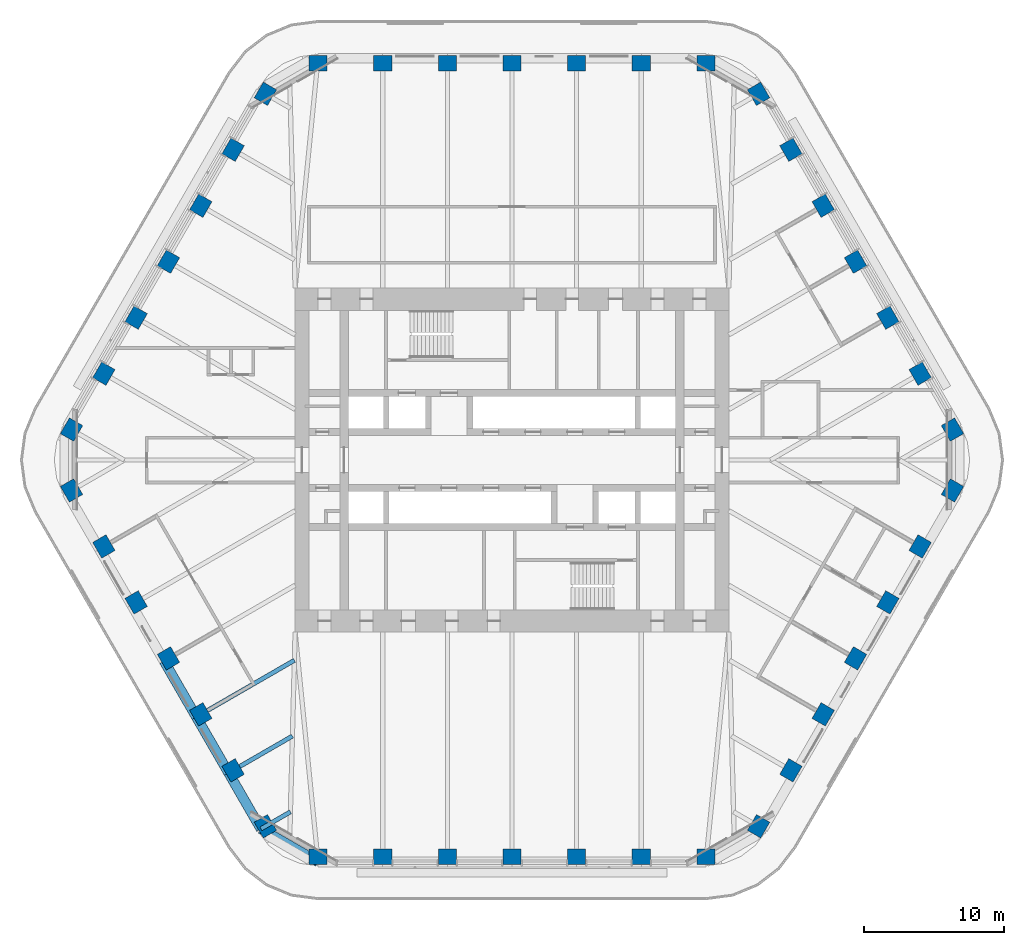
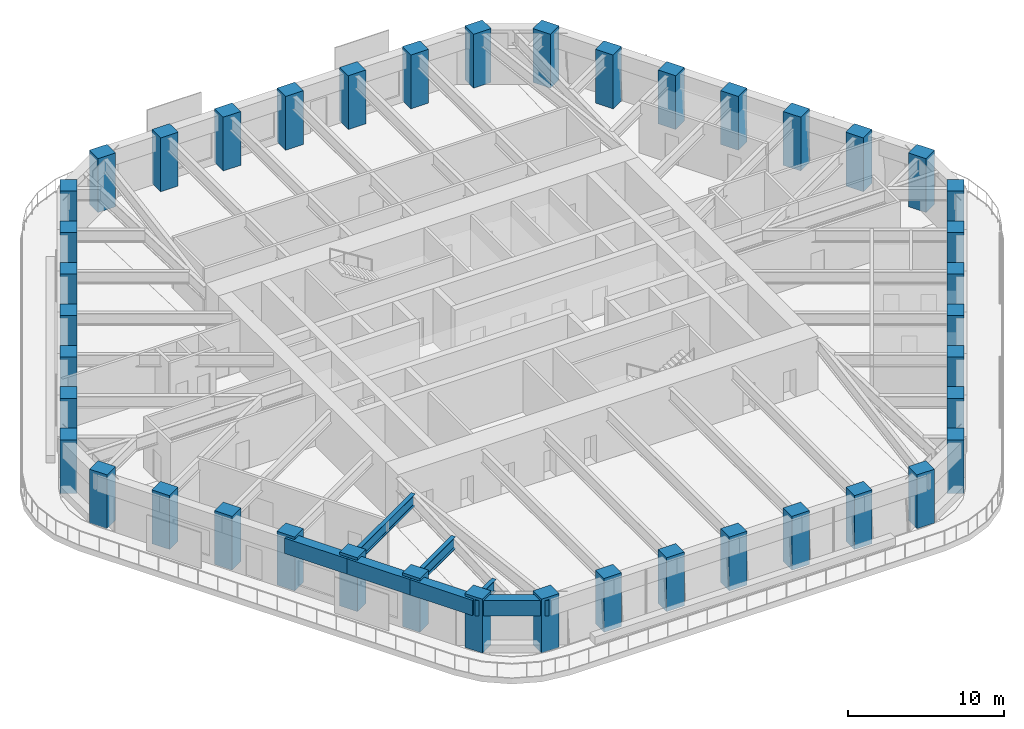
# One storey, part 1 of 20: 42 columns, 7 beams.
"""IFC4 building model written with IfcOpenShell, lengths in metres."""

from ifc_helpers import new_model, si_unit, direction, frame, origin, origin_2d, place, context, subcontext, project, spatial, rectangle, i_section, extrude, material, material_profile, profile_set, type_object, element, save


model = new_model("IFC4")

# Units and contexts
model_context = context("Model", 3, precision=1e-05, world=origin(), true_north=direction((0.0, 1.0)))
body_context = subcontext(model_context, "Body", "Model", "MODEL_VIEW")
ifc_project = project(units=[si_unit("LENGTHUNIT", "METRE"), si_unit("AREAUNIT", "SQUARE_METRE"), si_unit("VOLUMEUNIT", "CUBIC_METRE"), si_unit("PLANEANGLEUNIT", "RADIAN"), si_unit("MASSUNIT", "GRAM", prefix="KILO")], contexts=[model_context])

# Site, building, storey
site_placement = place(None, origin())
site = spatial("IfcSite", under=ifc_project, at=site_placement, CompositionType="ELEMENT")
building_placement = place(site_placement, origin())
building = spatial("IfcBuilding", under=site, at=building_placement, Name="Tarfa Lantern Tower", CompositionType="ELEMENT")
storey_placement = place(building_placement, frame((0.0, 0.0, 249.10009765625)))
storey = spatial("IfcBuildingStorey", under=building, at=storey_placement, Name="L56", CompositionType="ELEMENT", Elevation=249.10009765625)

# Columns
ifc_material_1 = material(Name="Concrete C80/95", Category="concrete")
ifc_material_profile_1 = material_profile(ifc_material_1, rectangle(XDim=1.300048828125, YDim=1.10009765625, at=origin_2d()), Name="RC 1300x1100")
ifc_profile_set_1 = profile_set([ifc_material_profile_1], Name="Concrete C80/95")
column_type = type_object("IfcColumnType", Name="TC10 RC 1300x1100", PredefinedType="COLUMN", material=ifc_profile_set_1)
for number, where, z_axis, x_axis, name in (
    (1, (31.47998046875, 2.175048828125, 0.0), (0.0, 0.0, 1.0), (-0.5, 0.866025403784, 0.0), "Tube column NE0"),
    (2, (29.170654296875, 6.175048828125, 0.0), (0.0, 0.0, 1.0), (-0.5, 0.866025403784, 0.0), "Tube column NE1"),
    (3, (26.861328125, 10.175048828125, 0.0), (0.0, 0.0, 1.0), (-0.5, 0.866025403784, 0.0), "Tube column NE2"),
    (4, (24.5517578125, 14.175048828125, 0.0), (0.0, 0.0, 1.0), (-0.5, 0.866025403784, 0.0), "Tube column NE3"),
    (5, (22.242431640625, 18.175048828125, 0.0), (0.0, 0.0, 1.0), (-0.5, 0.866025403784, 0.0), "Tube column NE4"),
    (6, (19.93310546875, 22.175048828125, 0.0), (0.0, 0.0, 1.0), (-0.5, 0.866025403784, 0.0), "Tube column NE5"),
    (7, (17.62353515625, 26.175048828125, 0.0), (0.0, 0.0, 1.0), (-0.5, 0.866025403784, 0.0), "Tube column NE6"),
    (8, (13.8564453125, 28.35009765625, 0.0), (0.0, 0.0, 1.0), (-1.0, 0.0, 0.0), "Tube column N0"),
    (9, (9.237548828125, 28.35009765625, 0.0), (0.0, 0.0, 1.0), (-1.0, 0.0, 0.0), "Tube column N1"),
    (10, (4.618896484375, 28.35009765625, 0.0), (0.0, 0.0, 1.0), (-1.0, 0.0, 0.0), "Tube column N2"),
    (11, (0.0, 28.35009765625, 0.0), (0.0, 0.0, 1.0), (-1.0, 0.0, 0.0), "Tube column N3"),
    (12, (-4.618896484375, 28.35009765625, 0.0), (0.0, 0.0, 1.0), (-1.0, 0.0, 0.0), "Tube column N4"),
    (13, (-9.237548828125, 28.35009765625, 0.0), (0.0, 0.0, 1.0), (-1.0, 0.0, 0.0), "Tube column N5"),
    (14, (-13.8564453125, 28.35009765625, 0.0), (0.0, 0.0, 1.0), (-1.0, 0.0, 0.0), "Tube column N6"),
    (15, (-17.62353515625, 26.175048828125, 0.0), (0.0, 0.0, 1.0), (-0.5, -0.866025403784, 0.0), "Tube column NW0"),
    (16, (-19.93310546875, 22.175048828125, 0.0), (0.0, 0.0, 1.0), (-0.5, -0.866025403784, 0.0), "Tube column NW1"),
    (17, (-22.242431640625, 18.175048828125, 0.0), (0.0, 0.0, 1.0), (-0.5, -0.866025403784, 0.0), "Tube column NW2"),
    (18, (-24.5517578125, 14.175048828125, 0.0), (0.0, 0.0, 1.0), (-0.5, -0.866025403784, 0.0), "Tube column NW3"),
    (19, (-26.861328125, 10.175048828125, 0.0), (0.0, 0.0, 1.0), (-0.5, -0.866025403784, 0.0), "Tube column NW4"),
    (20, (-29.170654296875, 6.175048828125, 0.0), (0.0, 0.0, 1.0), (-0.5, -0.866025403784, 0.0), "Tube column NW5"),
    (21, (-31.47998046875, 2.175048828125, 0.0), (0.0, 0.0, 1.0), (-0.5, -0.866025403784, 0.0), "Tube column NW6"),
    (22, (-31.47998046875, -2.175048828125, 0.0), (0.0, 0.0, 1.0), (0.5, -0.866025403784, 0.0), "Tube column SW0"),
    (23, (-29.170654296875, -6.175048828125, 0.0), (0.0, 0.0, 1.0), (0.5, -0.866025403784, 0.0), "Tube column SW1"),
    (24, (-26.861328125, -10.175048828125, 0.0), (0.0, 0.0, 1.0), (0.5, -0.866025403784, 0.0), "Tube column SW2"),
    (25, (-24.5517578125, -14.175048828125, 0.0), (0.0, 0.0, 1.0), (0.5, -0.866025403784, 0.0), "Tube column SW3"),
    (26, (-22.242431640625, -18.175048828125, 0.0), (0.0, 0.0, 1.0), (0.5, -0.866025403784, 0.0), "Tube column SW4"),
    (27, (-19.93310546875, -22.175048828125, 0.0), (0.0, 0.0, 1.0), (0.5, -0.866025403784, 0.0), "Tube column SW5"),
    (28, (-17.62353515625, -26.175048828125, 0.0), (0.0, 0.0, 1.0), (0.5, -0.866025403784, 0.0), "Tube column SW6"),
    (29, (-13.8564453125, -28.35009765625, 0.0), (0.0, 0.0, 1.0), (1.0, 0.0, 0.0), "Tube column S0"),
    (30, (-9.237548828125, -28.35009765625, 0.0), (0.0, 0.0, 1.0), (1.0, 0.0, 0.0), "Tube column S1"),
    (31, (-4.618896484375, -28.35009765625, 0.0), (0.0, 0.0, 1.0), (1.0, 0.0, 0.0), "Tube column S2"),
    (32, (0.0, -28.35009765625, 0.0), (0.0, 0.0, 1.0), (1.0, 0.0, 0.0), "Tube column S3"),
    (33, (4.618896484375, -28.35009765625, 0.0), (0.0, 0.0, 1.0), (1.0, 0.0, 0.0), "Tube column S4"),
    (34, (9.237548828125, -28.35009765625, 0.0), (0.0, 0.0, 1.0), (1.0, 0.0, 0.0), "Tube column S5"),
    (35, (13.8564453125, -28.35009765625, 0.0), (0.0, 0.0, 1.0), (1.0, 0.0, 0.0), "Tube column S6"),
    (36, (17.62353515625, -26.175048828125, 0.0), (0.0, 0.0, 1.0), (0.5, 0.866025403784, 0.0), "Tube column SE0"),
    (37, (19.93310546875, -22.175048828125, 0.0), (0.0, 0.0, 1.0), (0.5, 0.866025403784, 0.0), "Tube column SE1"),
    (38, (22.242431640625, -18.175048828125, 0.0), (0.0, 0.0, 1.0), (0.5, 0.866025403784, 0.0), "Tube column SE2"),
    (39, (24.5517578125, -14.175048828125, 0.0), (0.0, 0.0, 1.0), (0.5, 0.866025403784, 0.0), "Tube column SE3"),
    (40, (26.861328125, -10.175048828125, 0.0), (0.0, 0.0, 1.0), (0.5, 0.866025403784, 0.0), "Tube column SE4"),
    (41, (29.170654296875, -6.175048828125, 0.0), (0.0, 0.0, 1.0), (0.5, 0.866025403784, 0.0), "Tube column SE5"),
    (42, (31.47998046875, -2.175048828125, 0.0), (0.0, 0.0, 1.0), (0.5, 0.866025403784, 0.0), "Tube column SE6"),
):
    element("IfcColumn", number, at=place(storey_placement, frame(where, z_axis=z_axis, x_axis=x_axis)), inside=storey, type_object=column_type, Name=name, PredefinedType="COLUMN", context=body_context, shape_type="SweptSolid", body=[
        extrude(rectangle(XDim=1.300048828125, YDim=1.10009765625, at=origin_2d()), origin(), (0.0, 0.0, 1.0), 4.199951171875),
    ])

# Beams
ifc_material_profile_2 = material_profile(ifc_material_1, rectangle(XDim=0.699951171875, YDim=1.199951171875, at=origin_2d()), Name="RC 700x1200")
ifc_profile_set_2 = profile_set([ifc_material_profile_2], Name="Concrete C80/95")
beam_type_1 = type_object("IfcBeamType", Name="EB3 RC 700x1200", PredefinedType="SPANDREL", material=ifc_profile_set_2)
beam_1_placement = place(storey_placement, frame((-24.872314453125, -14.360107421875, 3.39990234375), z_axis=(0.500027479704, -0.866009537788, 0.0), x_axis=(0.866009537788, 0.500027479704, 0.0)))
element("IfcBeam", 43, at=beam_1_placement, inside=storey, type_object=beam_type_1, Name="Edge beam SW3", PredefinedType="SPANDREL", context=body_context, shape_type="SweptSolid", body=[
    extrude(rectangle(XDim=0.699951171875, YDim=1.199951171875, at=origin_2d()), origin(), (0.0, 0.0, 1.0), 4.618896484375),
])
for number, where, z_axis, x_axis, name in (
    (44, (-22.562744140625, -18.360107421875, 3.39990234375), (0.499987836815, -0.866032426089, 0.0), (0.866032426089, 0.499987836815, 0.0), "Edge beam SW4"),
    (45, (-20.25341796875, -22.360107421875, 3.39990234375), (0.499987836815, -0.866032426089, 0.0), (0.866032426089, 0.499987836815, 0.0), "Edge beam SW5"),
):
    element("IfcBeam", number, at=place(storey_placement, frame(where, z_axis=z_axis, x_axis=x_axis)), inside=storey, type_object=beam_type_1, Name=name, PredefinedType="SPANDREL", context=body_context, shape_type="SweptSolid", body=[
        extrude(rectangle(XDim=0.699951171875, YDim=1.199951171875, at=origin_2d()), origin(), (0.0, 0.0, 1.0), 4.61865234375),
    ])
beam_2_placement = place(storey_placement, frame((-17.944091796875, -26.360107421875, 3.39990234375), z_axis=(0.866038294681, -0.499977671647, 0.0), x_axis=(0.499977671647, 0.866038294681, 0.0)))
element("IfcBeam", 46, at=beam_2_placement, inside=storey, type_object=beam_type_1, Name="Edge beam SW6", PredefinedType="SPANDREL", context=body_context, shape_type="SweptSolid", body=[
    extrude(rectangle(XDim=0.699951171875, YDim=1.199951171875, at=origin_2d()), origin(), (0.0, 0.0, 1.0), 4.719970703125),
])
ifc_material_2 = material(Name="Steel S460M", Category="steel")
ifc_material_profile_3 = material_profile(ifc_material_2, i_section(OverallWidth=0.305419921875, OverallDepth=0.91845703125, WebThickness=0.017333984375, FlangeThickness=0.02783203125, FilletRadius=0.01904296875, at=origin_2d()), Name="UB914x305x253")
ifc_profile_set_3 = profile_set([ifc_material_profile_3], Name="Steel S460M")
beam_type_2 = type_object("IfcBeamType", Name="UB914x305x253", PredefinedType="BEAM", material=ifc_profile_set_3)
beam_3_placement = place(storey_placement, frame((-22.562744140625, -18.360107421875, 3.540771484375), z_axis=(0.866010787764, 0.500025314835, 0.0), x_axis=(-0.500025314835, 0.866010787764, 0.0)))
element("IfcBeam", 47, at=beam_3_placement, inside=storey, type_object=beam_type_2, Name="Floor beam SW4", PredefinedType="BEAM", context=body_context, shape_type="SweptSolid", body=[
    extrude(i_section(OverallWidth=0.305419921875, OverallDepth=0.91845703125, WebThickness=0.017333984375, FlangeThickness=0.02783203125, FilletRadius=0.01904296875, at=origin_2d()), origin(), (0.0, 0.0, 1.0), 8.09423828125),
])
beam_4_placement = place(storey_placement, frame((-20.25341796875, -22.360107421875, 3.540771484375), z_axis=(0.86601951648, 0.500010196972, 0.0), x_axis=(-0.500010196972, 0.86601951648, 0.0)))
element("IfcBeam", 48, at=beam_4_placement, inside=storey, type_object=beam_type_2, Name="Floor beam SW5", PredefinedType="BEAM", context=body_context, shape_type="SweptSolid", body=[
    extrude(i_section(OverallWidth=0.305419921875, OverallDepth=0.91845703125, WebThickness=0.017333984375, FlangeThickness=0.02783203125, FilletRadius=0.01904296875, at=origin_2d()), origin(), (0.0, 0.0, 1.0), 5.263671875),
])
beam_5_placement = place(storey_placement, frame((-17.944091796875, -26.360107421875, 3.540771484375), z_axis=(0.865980009423, 0.5000786171, 0.0), x_axis=(-0.5000786171, 0.865980009423, 0.0)))
element("IfcBeam", 49, at=beam_5_placement, inside=storey, type_object=beam_type_2, Name="Floor beam SW6", PredefinedType="BEAM", context=body_context, shape_type="SweptSolid", body=[
    extrude(i_section(OverallWidth=0.305419921875, OverallDepth=0.91845703125, WebThickness=0.017333984375, FlangeThickness=0.02783203125, FilletRadius=0.01904296875, at=origin_2d()), origin(), (0.0, 0.0, 1.0), 2.4326171875),
])

save(model, "model.ifc")
